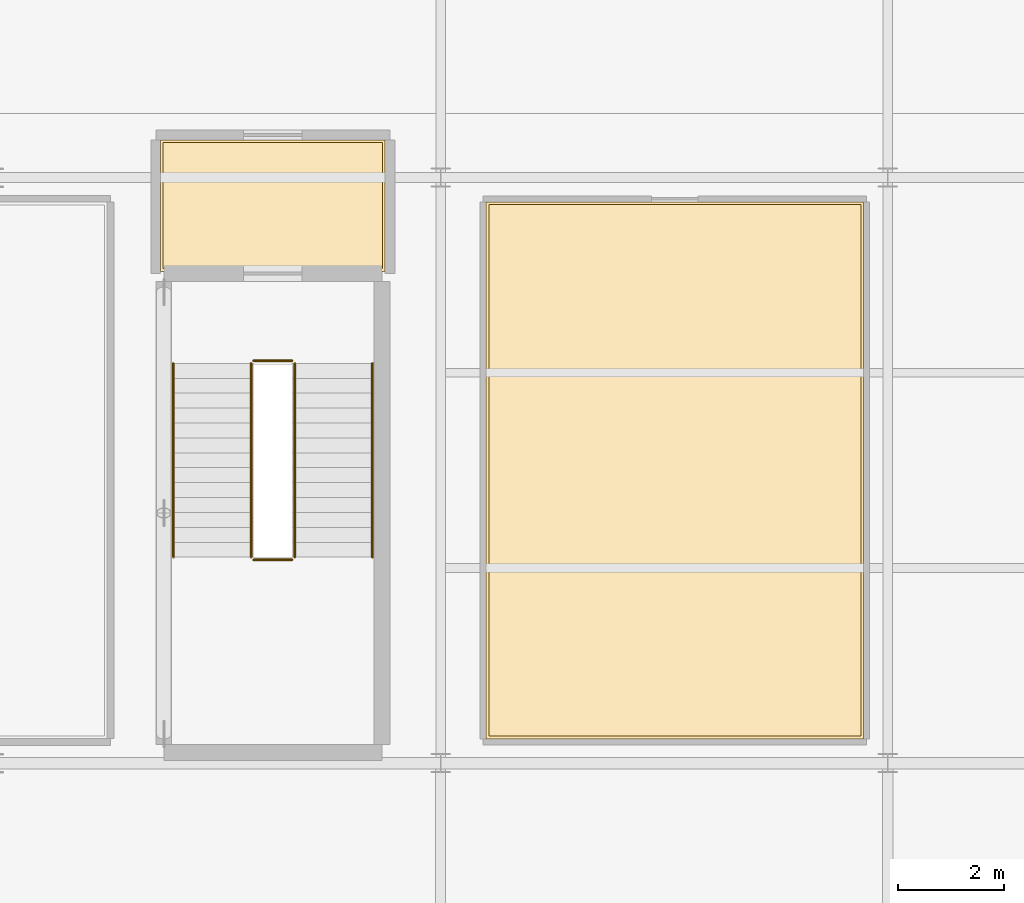
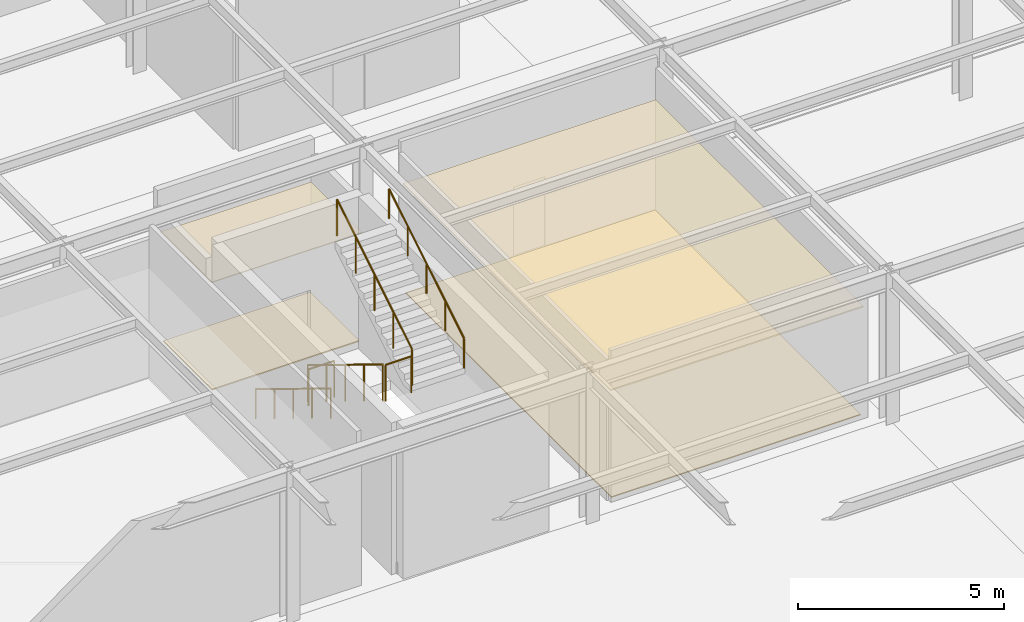
# One storey, part 78 of 82: 6 railings, 4 coverings.
"""IFC4 building model written with IfcOpenShell, lengths in metres."""

from ifc_helpers import new_model, si_unit, direction, frame, origin, origin_2d, place, context, subcontext, project, spatial, polyline, circle, outline, extrude, material, layer, layer_set, type_object, element, save


model = new_model("IFC4")

# Units and contexts
model_context = context("Model", 3, precision=1e-05, world=origin(), true_north=direction((0.0, 1.0)))
body_context = subcontext(model_context, "Body", "Model", "MODEL_VIEW")
ifc_project = project(units=[si_unit("LENGTHUNIT", "METRE"), si_unit("AREAUNIT", "SQUARE_METRE"), si_unit("VOLUMEUNIT", "CUBIC_METRE"), si_unit("PLANEANGLEUNIT", "RADIAN"), si_unit("MASSUNIT", "GRAM", prefix="KILO")], contexts=[model_context])

# Site, building, storey
site_placement = place(None, origin())
site = spatial("IfcSite", under=ifc_project, at=site_placement, CompositionType="ELEMENT")
building_placement = place(site_placement, origin())
building = spatial("IfcBuilding", under=site, at=building_placement, Name="Sitalva Quay Ferry Terminal", CompositionType="ELEMENT")
storey_placement = place(building_placement, frame((0.0, 0.0, 5.39990234375)))
storey = spatial("IfcBuildingStorey", under=building, at=storey_placement, Name="L02", CompositionType="ELEMENT", Elevation=5.39990234375)

# Coverings
ifc_material_1 = material(Name="Perforated Marine Aluminium Acoustic Ceiling", Category="aluminium")
ifc_layer_1 = layer(ifc_material_1, 0.0400390625)
ifc_layer_set_1 = layer_set([ifc_layer_1], Name="Perforated Marine Aluminium Acoustic Ceiling")
covering_type_1 = type_object("IfcCoveringType", Name="Ceiling_AcousticBaffle_40", PredefinedType="CEILING", material=ifc_layer_set_1)
covering_1_placement = place(storey_placement, frame((0.0, 0.0, 3.210205078125)))
element("IfcCovering", 1, at=covering_1_placement, inside=storey, type_object=covering_type_1, Name="Deck Crew Equipment & Radio Store ceiling", PredefinedType="CEILING", context=body_context, shape_type="SweptSolid", body=[
    extrude(outline(polyline([(118.45751953125, 78.45751953125), (125.54248046875, 78.45751953125), (125.54248046875, 88.54248046875), (118.45751953125, 88.54248046875), (118.45751953125, 78.45751953125)])), origin(), (0.0, 0.0, 1.0), 0.039794921875),
])
ifc_material_2 = material(Name="Moisture-Resistant Acoustic Gypsum Ceiling", Category="gypsum")
ifc_layer_2 = layer(ifc_material_2, 0.02490234375)
ifc_layer_set_2 = layer_set([ifc_layer_2], Name="Moisture-Resistant Acoustic Gypsum Ceiling")
covering_type_2 = type_object("IfcCoveringType", Name="Ceiling_GypsumMoisture_25", PredefinedType="CEILING", material=ifc_layer_set_2)
covering_2_placement = place(storey_placement, frame((0.0, 0.0, 3.22509765625)))
element("IfcCovering", 2, at=covering_2_placement, inside=storey, type_object=covering_type_2, Name="Firefighting & Lift Lobby C4 ceiling", PredefinedType="CEILING", context=body_context, shape_type="SweptSolid", body=[
    extrude(outline(polyline([(112.340087890625, 87.239990234375), (116.56005859375, 87.239990234375), (116.56005859375, 89.7099609375), (112.340087890625, 89.7099609375), (112.340087890625, 87.239990234375)])), origin(), (0.0, 0.0, 1.0), 0.02490234375),
])
ifc_material_3 = material(Name="Flamed Non-Slip Granite Paving", Category="masonry")
ifc_layer_3 = layer(ifc_material_3, 0.034912109375)
ifc_layer_set_3 = layer_set([ifc_layer_3], Name="Flamed Non-Slip Granite Paving")
covering_type_3 = type_object("IfcCoveringType", Name="Finish_Granite_35", PredefinedType="FLOORING", material=ifc_layer_set_3)
covering_3_placement = place(storey_placement, origin())
element("IfcCovering", 3, at=covering_3_placement, inside=storey, type_object=covering_type_3, Name="Firefighting & Lift Lobby C4 floor finish", PredefinedType="FLOORING", context=body_context, shape_type="SweptSolid", body=[
    extrude(outline(polyline([(112.389892578125, 87.2900390625), (116.510009765625, 87.2900390625), (116.510009765625, 89.659912109375), (112.389892578125, 89.659912109375), (112.389892578125, 87.2900390625)])), origin(), (0.0, 0.0, 1.0), 0.03515625),
])
ifc_material_4 = material(Name="Polished River-Stone Terrazzo", Category="masonry")
ifc_layer_4 = layer(ifc_material_4, 0.030029296875)
ifc_layer_set_4 = layer_set([ifc_layer_4], Name="Polished River-Stone Terrazzo")
covering_type_4 = type_object("IfcCoveringType", Name="Finish_Terrazzo_30", PredefinedType="FLOORING", material=ifc_layer_set_4)
covering_4_placement = place(storey_placement, origin())
element("IfcCovering", 4, at=covering_4_placement, inside=storey, type_object=covering_type_4, Name="Deck Crew Equipment & Radio Store floor finish", PredefinedType="FLOORING", context=body_context, shape_type="SweptSolid", body=[
    extrude(outline(polyline([(118.507568359375, 78.507568359375), (125.492431640625, 78.507568359375), (125.492431640625, 88.492431640625), (118.507568359375, 88.492431640625), (118.507568359375, 78.507568359375)])), origin(), (0.0, 0.0, 1.0), 0.030029296875),
])

# Railings
ifc_material_5 = material(Name="Galvanised Steel S275JR", Category="steel")
railing_type_1 = type_object("IfcRailingType", Name="Railing_Guard_1100", PredefinedType="GUARDRAIL", material=ifc_material_5)
railing_1_placement = place(storey_placement, frame((114.0400390625, 85.510009765625, 0.171630859375)))
element("IfcRailing", 5, at=railing_1_placement, inside=storey, type_object=railing_type_1, Name="L02 ST-04 stair guard 1", PredefinedType="GUARDRAIL", context=body_context, shape_type="SweptSolid", body=[
    extrude(circle(Radius=0.02392578125, at=origin_2d()), frame((0.0, 0.0, 1.076171875), z_axis=(0.0, -0.852850264322, 0.5221555579), x_axis=(1.0, 0.0, 0.0)), (0.0, 0.0, 1.0), 4.267822265625),
    extrude(circle(Radius=0.02099609375, at=origin_2d()), origin(), (0.0, 0.0, 1.0), 1.052001953125),
    extrude(circle(Radius=0.02099609375, at=origin_2d()), frame((0.0, -0.909912109375, 0.55712890625)), (0.0, 0.0, 1.0), 1.052001953125),
    extrude(circle(Radius=0.02099609375, at=origin_2d()), frame((0.0, -1.81982421875, 1.1142578125)), (0.0, 0.0, 1.0), 1.052001953125),
    extrude(circle(Radius=0.02099609375, at=origin_2d()), frame((0.0, -2.72998046875, 1.67138671875)), (0.0, 0.0, 1.0), 1.052001953125),
    extrude(circle(Radius=0.02099609375, at=origin_2d()), frame((0.0, -3.639892578125, 2.228515625)), (0.0, 0.0, 1.0), 1.052001953125),
])
railing_2_placement = place(storey_placement, frame((114.090087890625, 81.820068359375, 2.400146484375)))
element("IfcRailing", 6, at=railing_2_placement, inside=storey, type_object=railing_type_1, Name="L02 ST-04 stair guard 2", PredefinedType="GUARDRAIL", context=body_context, shape_type="SweptSolid", body=[
    extrude(circle(Radius=0.02392578125, at=origin_2d()), frame((0.0, 0.0, 1.076171875), z_axis=(1.0, 0.0, 0.0), x_axis=(0.0, 1.0, 0.0)), (0.0, 0.0, 1.0), 0.719970703125),
    extrude(circle(Radius=0.02099609375, at=origin_2d()), origin(), (0.0, 0.0, 1.0), 1.052001953125),
    extrude(circle(Radius=0.02099609375, at=origin_2d()), frame((0.719970703125, 0.0, 0.0)), (0.0, 0.0, 1.0), 1.052001953125),
])
railing_3_placement = place(storey_placement, frame((114.860107421875, 81.8701171875, 2.571533203125)))
element("IfcRailing", 7, at=railing_3_placement, inside=storey, type_object=railing_type_1, Name="L02 ST-04 stair guard 3", PredefinedType="GUARDRAIL", context=body_context, shape_type="SweptSolid", body=[
    extrude(circle(Radius=0.02392578125, at=origin_2d()), frame((0.0, 0.0, 1.076171875), z_axis=(0.0, 0.852850264322, 0.5221555579), x_axis=(-1.0, 0.0, 0.0)), (0.0, 0.0, 1.0), 4.267822265625),
    extrude(circle(Radius=0.02099609375, at=origin_2d()), origin(), (0.0, 0.0, 1.0), 1.052001953125),
    extrude(circle(Radius=0.02099609375, at=origin_2d()), frame((0.0, 0.909912109375, 0.55712890625)), (0.0, 0.0, 1.0), 1.052001953125),
    extrude(circle(Radius=0.02099609375, at=origin_2d()), frame((0.0, 1.81982421875, 1.1142578125)), (0.0, 0.0, 1.0), 1.052001953125),
    extrude(circle(Radius=0.02099609375, at=origin_2d()), frame((0.0, 2.72998046875, 1.67138671875)), (0.0, 0.0, 1.0), 1.052001953125),
    extrude(circle(Radius=0.02099609375, at=origin_2d()), frame((0.0, 3.639892578125, 2.228515625)), (0.0, 0.0, 1.0), 1.052001953125),
])
railing_4_placement = place(storey_placement, frame((114.090087890625, 85.56005859375, 0.0)))
element("IfcRailing", 8, at=railing_4_placement, inside=storey, type_object=railing_type_1, Name="L02 ST-04 stair guard 4", PredefinedType="GUARDRAIL", context=body_context, shape_type="SweptSolid", body=[
    extrude(circle(Radius=0.02392578125, at=origin_2d()), frame((0.0, 0.0, 1.076171875), z_axis=(1.0, 0.0, 0.0), x_axis=(0.0, 1.0, 0.0)), (0.0, 0.0, 1.0), 0.719970703125),
    extrude(circle(Radius=0.02099609375, at=origin_2d()), origin(), (0.0, 0.0, 1.0), 1.052001953125),
    extrude(circle(Radius=0.02099609375, at=origin_2d()), frame((0.719970703125, 0.0, 0.0)), (0.0, 0.0, 1.0), 1.052001953125),
])
ifc_material_6 = material(Name="Stainless Steel 316L", Category="steel")
railing_type_2 = type_object("IfcRailingType", Name="Railing_Handrail_900", PredefinedType="HANDRAIL", material=ifc_material_6)
railing_5_placement = place(storey_placement, frame((112.580078125, 85.510009765625, 0.171630859375)))
element("IfcRailing", 9, at=railing_5_placement, inside=storey, type_object=railing_type_2, Name="L02 ST-04 stair handrail 1", PredefinedType="HANDRAIL", context=body_context, shape_type="SweptSolid", body=[
    extrude(circle(Radius=0.02392578125, at=origin_2d()), frame((0.0, 0.0, 0.8759765625), z_axis=(0.0, -0.852850264322, 0.5221555579), x_axis=(1.0, 0.0, 0.0)), (0.0, 0.0, 1.0), 4.267822265625),
    extrude(circle(Radius=0.02099609375, at=origin_2d()), origin(), (0.0, 0.0, 1.0), 0.851806640625),
    extrude(circle(Radius=0.02099609375, at=origin_2d()), frame((0.0, -0.909912109375, 0.55712890625)), (0.0, 0.0, 1.0), 0.851806640625),
    extrude(circle(Radius=0.02099609375, at=origin_2d()), frame((0.0, -1.81982421875, 1.1142578125)), (0.0, 0.0, 1.0), 0.851806640625),
    extrude(circle(Radius=0.02099609375, at=origin_2d()), frame((0.0, -2.72998046875, 1.67138671875)), (0.0, 0.0, 1.0), 0.851806640625),
    extrude(circle(Radius=0.02099609375, at=origin_2d()), frame((0.0, -3.639892578125, 2.228515625)), (0.0, 0.0, 1.0), 0.851806640625),
])
railing_6_placement = place(storey_placement, frame((116.320068359375, 81.8701171875, 2.571533203125)))
element("IfcRailing", 10, at=railing_6_placement, inside=storey, type_object=railing_type_2, Name="L02 ST-04 stair handrail 2", PredefinedType="HANDRAIL", context=body_context, shape_type="SweptSolid", body=[
    extrude(circle(Radius=0.02392578125, at=origin_2d()), frame((0.0, 0.0, 0.8759765625), z_axis=(0.0, 0.852850264322, 0.5221555579), x_axis=(-1.0, 0.0, 0.0)), (0.0, 0.0, 1.0), 4.267822265625),
    extrude(circle(Radius=0.02099609375, at=origin_2d()), origin(), (0.0, 0.0, 1.0), 0.851806640625),
    extrude(circle(Radius=0.02099609375, at=origin_2d()), frame((0.0, 0.909912109375, 0.55712890625)), (0.0, 0.0, 1.0), 0.851806640625),
    extrude(circle(Radius=0.02099609375, at=origin_2d()), frame((0.0, 1.81982421875, 1.1142578125)), (0.0, 0.0, 1.0), 0.851806640625),
    extrude(circle(Radius=0.02099609375, at=origin_2d()), frame((0.0, 2.72998046875, 1.67138671875)), (0.0, 0.0, 1.0), 0.851806640625),
    extrude(circle(Radius=0.02099609375, at=origin_2d()), frame((0.0, 3.639892578125, 2.228515625)), (0.0, 0.0, 1.0), 0.851806640625),
])

save(model, "model.ifc")
